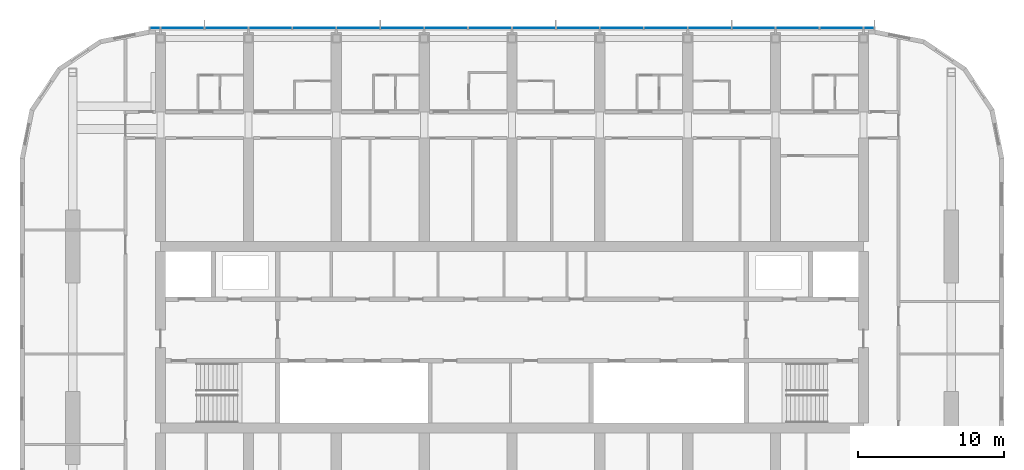
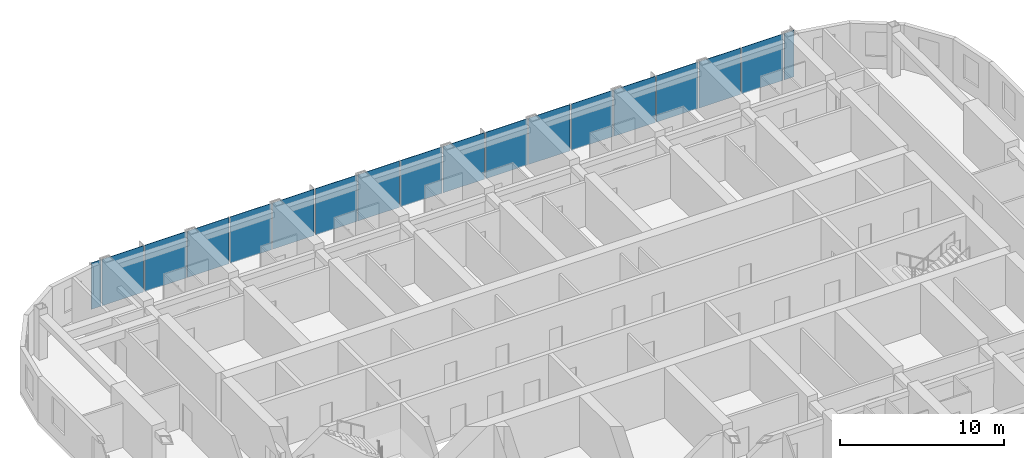
# One storey, part 9 of 23: 18 plates, 1 element without a shape of its own.
"""IFC4 building model written with IfcOpenShell, lengths in metres."""

from ifc_helpers import new_model, si_unit, direction, frame, origin, origin_2d, place, context, subcontext, project, spatial, rectangle, extrude, material, layer, layer_set, type_object, element, aggregate, save


model = new_model("IFC4")

# Units and contexts
model_context = context("Model", 3, precision=1e-05, world=origin(), true_north=direction((0.0, 1.0)))
body_context = subcontext(model_context, "Body", "Model", "MODEL_VIEW")
ifc_project = project(units=[si_unit("LENGTHUNIT", "METRE"), si_unit("AREAUNIT", "SQUARE_METRE"), si_unit("VOLUMEUNIT", "CUBIC_METRE"), si_unit("PLANEANGLEUNIT", "RADIAN"), si_unit("MASSUNIT", "GRAM", prefix="KILO")], contexts=[model_context])

# Site, building, storey
site_placement = place(None, origin())
site = spatial("IfcSite", under=ifc_project, at=site_placement, CompositionType="ELEMENT")
building_placement = place(site_placement, origin())
building = spatial("IfcBuilding", under=site, at=building_placement, Name="Orbita Commons", CompositionType="ELEMENT")
storey_placement = place(building_placement, frame((0.0, 0.0, 227.800048828125)))
storey = spatial("IfcBuildingStorey", under=building, at=storey_placement, Name="L56", CompositionType="ELEMENT", Elevation=227.800048828125)

# Curtain wall, plates
ifc_material_1 = material(Name="Anodised aluminium frame, pale silver", Category="aluminium")
curtain_wall_type = type_object("IfcCurtainWallType", Name="Unitised curtain wall CW-U, full-height vision", PredefinedType="NOTDEFINED", material=ifc_material_1)
curtain_wall_placement = place(storey_placement, origin())
curtain_wall = element("IfcCurtainWall", 1, at=curtain_wall_placement, inside=storey, type_object=curtain_wall_type, Name="Curtain wall north L56", PredefinedType="NOTDEFINED")
ifc_material_2 = material(Name="Clear double glazing", Category="glass")
ifc_layer = layer(ifc_material_2, 0.031982421875)
ifc_layer_set = layer_set([ifc_layer], Name="Clear double glazing")
plate_type = type_object("IfcPlateType", Name="Full-height vision panel, clear glazing 32", PredefinedType="CURTAIN_PANEL", material=ifc_layer_set)
plate_1_placement = place(storey_placement, frame((66.3798828125, 53.110107421875, -0.14990234375), z_axis=(0.0, 0.0, 1.0), x_axis=(-1.0, 0.0, 0.0)))
plate_1 = element("IfcPlate", 2, at=plate_1_placement, type_object=plate_type, Name="Panel 1.1 CW-L56-N", PredefinedType="CURTAIN_PANEL", context=body_context, shape_type="SweptSolid", body=[
    extrude(rectangle(XDim=0.679931640625, YDim=0.031982421875, at=origin_2d()), origin(), (0.0, 0.0, 1.0), 3.449951171875),
])
plate_2_placement = place(storey_placement, frame((64.5, 53.110107421875, -0.14990234375), z_axis=(0.0, 0.0, 1.0), x_axis=(-1.0, 0.0, 0.0)))
plate_2 = element("IfcPlate", 3, at=plate_2_placement, type_object=plate_type, Name="Panel 2.1 CW-L56-N", PredefinedType="CURTAIN_PANEL", context=body_context, shape_type="SweptSolid", body=[
    extrude(rectangle(XDim=2.919921875, YDim=0.031982421875, at=origin_2d()), origin(), (0.0, 0.0, 1.0), 3.449951171875),
])
plate_3_placement = place(storey_placement, frame((61.5, 53.110107421875, -0.14990234375), z_axis=(0.0, 0.0, 1.0), x_axis=(-1.0, 0.0, 0.0)))
plate_3 = element("IfcPlate", 4, at=plate_3_placement, type_object=plate_type, Name="Panel 3.1 CW-L56-N", PredefinedType="CURTAIN_PANEL", context=body_context, shape_type="SweptSolid", body=[
    extrude(rectangle(XDim=2.919921875, YDim=0.031982421875, at=origin_2d()), origin(), (0.0, 0.0, 1.0), 3.449951171875),
])
plate_4_placement = place(storey_placement, frame((58.5, 53.110107421875, -0.14990234375), z_axis=(0.0, 0.0, 1.0), x_axis=(-1.0, 0.0, 0.0)))
plate_4 = element("IfcPlate", 5, at=plate_4_placement, type_object=plate_type, Name="Panel 4.1 CW-L56-N", PredefinedType="CURTAIN_PANEL", context=body_context, shape_type="SweptSolid", body=[
    extrude(rectangle(XDim=2.919921875, YDim=0.031982421875, at=origin_2d()), origin(), (0.0, 0.0, 1.0), 3.449951171875),
])
plate_5_placement = place(storey_placement, frame((55.5, 53.110107421875, -0.14990234375), z_axis=(0.0, 0.0, 1.0), x_axis=(-1.0, 0.0, 0.0)))
plate_5 = element("IfcPlate", 6, at=plate_5_placement, type_object=plate_type, Name="Panel 5.1 CW-L56-N", PredefinedType="CURTAIN_PANEL", context=body_context, shape_type="SweptSolid", body=[
    extrude(rectangle(XDim=2.919921875, YDim=0.031982421875, at=origin_2d()), origin(), (0.0, 0.0, 1.0), 3.449951171875),
])
plate_6_placement = place(storey_placement, frame((52.5, 53.110107421875, -0.14990234375), z_axis=(0.0, 0.0, 1.0), x_axis=(-1.0, 0.0, 0.0)))
plate_6 = element("IfcPlate", 7, at=plate_6_placement, type_object=plate_type, Name="Panel 6.1 CW-L56-N", PredefinedType="CURTAIN_PANEL", context=body_context, shape_type="SweptSolid", body=[
    extrude(rectangle(XDim=2.919921875, YDim=0.031982421875, at=origin_2d()), origin(), (0.0, 0.0, 1.0), 3.449951171875),
])
plate_7_placement = place(storey_placement, frame((49.5, 53.110107421875, -0.14990234375), z_axis=(0.0, 0.0, 1.0), x_axis=(-1.0, 0.0, 0.0)))
plate_7 = element("IfcPlate", 8, at=plate_7_placement, type_object=plate_type, Name="Panel 7.1 CW-L56-N", PredefinedType="CURTAIN_PANEL", context=body_context, shape_type="SweptSolid", body=[
    extrude(rectangle(XDim=2.919921875, YDim=0.031982421875, at=origin_2d()), origin(), (0.0, 0.0, 1.0), 3.449951171875),
])
plate_8_placement = place(storey_placement, frame((46.5, 53.110107421875, -0.14990234375), z_axis=(0.0, 0.0, 1.0), x_axis=(-1.0, 0.0, 0.0)))
plate_8 = element("IfcPlate", 9, at=plate_8_placement, type_object=plate_type, Name="Panel 8.1 CW-L56-N", PredefinedType="CURTAIN_PANEL", context=body_context, shape_type="SweptSolid", body=[
    extrude(rectangle(XDim=2.919921875, YDim=0.031982421875, at=origin_2d()), origin(), (0.0, 0.0, 1.0), 3.449951171875),
])
plate_9_placement = place(storey_placement, frame((43.5, 53.110107421875, -0.14990234375), z_axis=(0.0, 0.0, 1.0), x_axis=(-1.0, 0.0, 0.0)))
plate_9 = element("IfcPlate", 10, at=plate_9_placement, type_object=plate_type, Name="Panel 9.1 CW-L56-N", PredefinedType="CURTAIN_PANEL", context=body_context, shape_type="SweptSolid", body=[
    extrude(rectangle(XDim=2.919921875, YDim=0.031982421875, at=origin_2d()), origin(), (0.0, 0.0, 1.0), 3.449951171875),
])
plate_10_placement = place(storey_placement, frame((40.5, 53.110107421875, -0.14990234375), z_axis=(0.0, 0.0, 1.0), x_axis=(-1.0, 0.0, 0.0)))
plate_10 = element("IfcPlate", 11, at=plate_10_placement, type_object=plate_type, Name="Panel 10.1 CW-L56-N", PredefinedType="CURTAIN_PANEL", context=body_context, shape_type="SweptSolid", body=[
    extrude(rectangle(XDim=2.919921875, YDim=0.031982421875, at=origin_2d()), origin(), (0.0, 0.0, 1.0), 3.449951171875),
])
plate_11_placement = place(storey_placement, frame((37.5, 53.110107421875, -0.14990234375), z_axis=(0.0, 0.0, 1.0), x_axis=(-1.0, 0.0, 0.0)))
plate_11 = element("IfcPlate", 12, at=plate_11_placement, type_object=plate_type, Name="Panel 11.1 CW-L56-N", PredefinedType="CURTAIN_PANEL", context=body_context, shape_type="SweptSolid", body=[
    extrude(rectangle(XDim=2.919921875, YDim=0.031982421875, at=origin_2d()), origin(), (0.0, 0.0, 1.0), 3.449951171875),
])
plate_12_placement = place(storey_placement, frame((34.5, 53.110107421875, -0.14990234375), z_axis=(0.0, 0.0, 1.0), x_axis=(-1.0, 0.0, 0.0)))
plate_12 = element("IfcPlate", 13, at=plate_12_placement, type_object=plate_type, Name="Panel 12.1 CW-L56-N", PredefinedType="CURTAIN_PANEL", context=body_context, shape_type="SweptSolid", body=[
    extrude(rectangle(XDim=2.919921875, YDim=0.031982421875, at=origin_2d()), origin(), (0.0, 0.0, 1.0), 3.449951171875),
])
plate_13_placement = place(storey_placement, frame((31.5, 53.110107421875, -0.14990234375), z_axis=(0.0, 0.0, 1.0), x_axis=(-1.0, 0.0, 0.0)))
plate_13 = element("IfcPlate", 14, at=plate_13_placement, type_object=plate_type, Name="Panel 13.1 CW-L56-N", PredefinedType="CURTAIN_PANEL", context=body_context, shape_type="SweptSolid", body=[
    extrude(rectangle(XDim=2.919921875, YDim=0.031982421875, at=origin_2d()), origin(), (0.0, 0.0, 1.0), 3.449951171875),
])
plate_14_placement = place(storey_placement, frame((28.5, 53.110107421875, -0.14990234375), z_axis=(0.0, 0.0, 1.0), x_axis=(-1.0, 0.0, 0.0)))
plate_14 = element("IfcPlate", 15, at=plate_14_placement, type_object=plate_type, Name="Panel 14.1 CW-L56-N", PredefinedType="CURTAIN_PANEL", context=body_context, shape_type="SweptSolid", body=[
    extrude(rectangle(XDim=2.919921875, YDim=0.031982421875, at=origin_2d()), origin(), (0.0, 0.0, 1.0), 3.449951171875),
])
plate_15_placement = place(storey_placement, frame((25.5, 53.110107421875, -0.14990234375), z_axis=(0.0, 0.0, 1.0), x_axis=(-1.0, 0.0, 0.0)))
plate_15 = element("IfcPlate", 16, at=plate_15_placement, type_object=plate_type, Name="Panel 15.1 CW-L56-N", PredefinedType="CURTAIN_PANEL", context=body_context, shape_type="SweptSolid", body=[
    extrude(rectangle(XDim=2.919921875, YDim=0.031982421875, at=origin_2d()), origin(), (0.0, 0.0, 1.0), 3.449951171875),
])
plate_16_placement = place(storey_placement, frame((22.5, 53.110107421875, -0.14990234375), z_axis=(0.0, 0.0, 1.0), x_axis=(-1.0, 0.0, 0.0)))
plate_16 = element("IfcPlate", 17, at=plate_16_placement, type_object=plate_type, Name="Panel 16.1 CW-L56-N", PredefinedType="CURTAIN_PANEL", context=body_context, shape_type="SweptSolid", body=[
    extrude(rectangle(XDim=2.919921875, YDim=0.031982421875, at=origin_2d()), origin(), (0.0, 0.0, 1.0), 3.449951171875),
])
plate_17_placement = place(storey_placement, frame((19.5, 53.110107421875, -0.14990234375), z_axis=(0.0, 0.0, 1.0), x_axis=(-1.0, 0.0, 0.0)))
plate_17 = element("IfcPlate", 18, at=plate_17_placement, type_object=plate_type, Name="Panel 17.1 CW-L56-N", PredefinedType="CURTAIN_PANEL", context=body_context, shape_type="SweptSolid", body=[
    extrude(rectangle(XDim=2.919921875, YDim=0.031982421875, at=origin_2d()), origin(), (0.0, 0.0, 1.0), 3.449951171875),
])
plate_18_placement = place(storey_placement, frame((17.6201171875, 53.110107421875, -0.14990234375), z_axis=(0.0, 0.0, 1.0), x_axis=(-1.0, 0.0, 0.0)))
plate_18 = element("IfcPlate", 19, at=plate_18_placement, type_object=plate_type, Name="Panel 18.1 CW-L56-N", PredefinedType="CURTAIN_PANEL", context=body_context, shape_type="SweptSolid", body=[
    extrude(rectangle(XDim=0.679931640625, YDim=0.031982421875, at=origin_2d()), origin(), (0.0, 0.0, 1.0), 3.449951171875),
])
aggregate(curtain_wall, [plate_1, plate_2, plate_3, plate_4, plate_5, plate_6, plate_7, plate_8, plate_9, plate_10, plate_11, plate_12, plate_13, plate_14, plate_15, plate_16, plate_17, plate_18])

save(model, "model.ifc")
